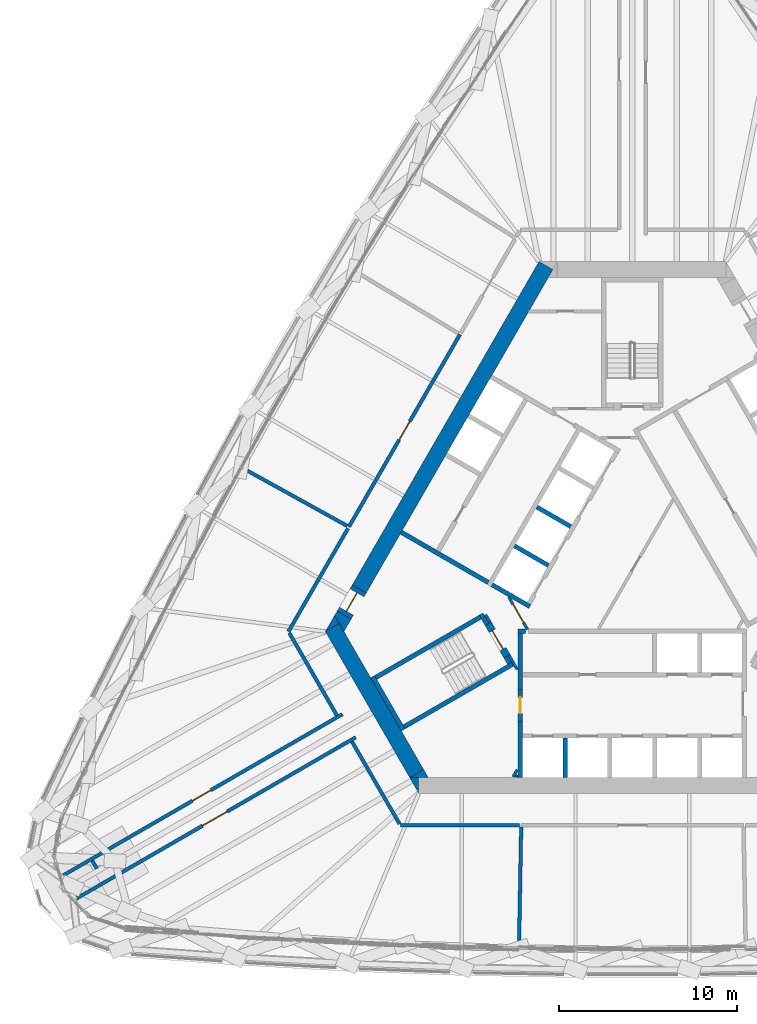
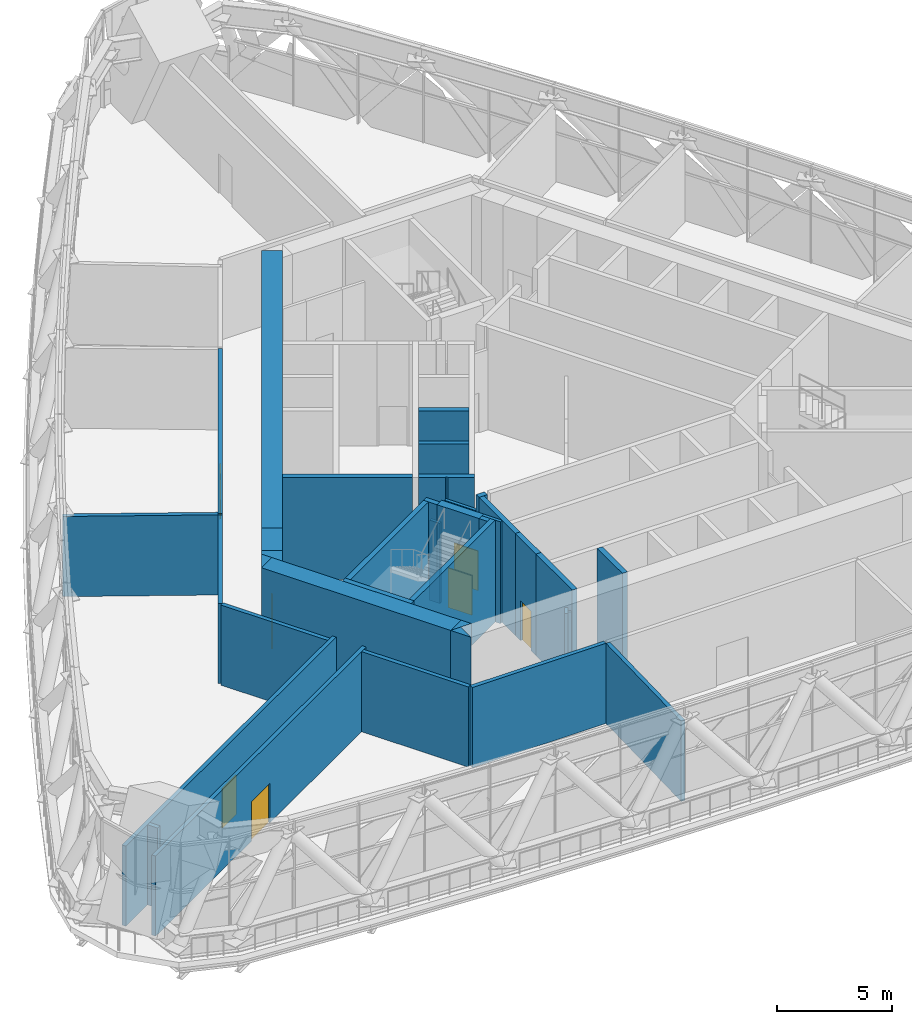
# One storey, part 26 of 43: 37 walls, 7 doors, 7 openings.
"""IFC4 building model written with IfcOpenShell, lengths in metres."""

from ifc_helpers import new_model, si_unit, direction, frame, frame_2d, origin, place, context, subcontext, project, spatial, polyline, rectangle, outline, extrude, material, layer, layer_set, type_object, element, fill, save


model = new_model("IFC4")

# Units and contexts
model_context = context("Model", 3, precision=1e-05, world=origin(), true_north=direction((0.0, 1.0)))
body_context = subcontext(model_context, "Body", "Model", "MODEL_VIEW")
ifc_project = project(units=[si_unit("LENGTHUNIT", "METRE"), si_unit("AREAUNIT", "SQUARE_METRE"), si_unit("VOLUMEUNIT", "CUBIC_METRE"), si_unit("PLANEANGLEUNIT", "RADIAN"), si_unit("MASSUNIT", "GRAM", prefix="KILO")], contexts=[model_context])

# Site, building, storey
site_placement = place(None, origin())
site = spatial("IfcSite", under=ifc_project, at=site_placement, CompositionType="ELEMENT")
building_placement = place(site_placement, origin())
building = spatial("IfcBuilding", under=site, at=building_placement, Name="Mestral Congress Tower", CompositionType="ELEMENT")
storey_placement = place(building_placement, frame((0.0, 0.0, 78.300048828125)))
storey = spatial("IfcBuildingStorey", under=building, at=storey_placement, Name="L18", CompositionType="ELEMENT", Elevation=78.300048828125)

# Walls
ifc_material_1 = material(Name="Fire-rated board partition")
ifc_layer_1 = layer(ifc_material_1, 0.14990234375)
ifc_layer_set_1 = layer_set([ifc_layer_1], Name="Fire-rated board partition")
wall_type_1 = type_object("IfcWallType", Name="Core partition 150", PredefinedType="PARTITIONING", material=ifc_layer_set_1)
wall_1_placement = place(storey_placement, frame((-6.707763671875, -12.068115234375, 0.0), z_axis=(0.0, 0.0, 1.0), x_axis=(0.500000789788, 0.8660249478, 0.0)))
element("IfcWall", 1, at=wall_1_placement, inside=storey, type_object=wall_type_1, Name="L18 core wall", PredefinedType="PARTITIONING", context=body_context, shape_type="SweptSolid", body=[
    extrude(rectangle(XDim=0.45556640625, YDim=0.14990234375, at=frame_2d((0.227783203125, 0.0))), origin(), (0.0, 0.0, 1.0), 4.25),
])
wall_2_placement = place(storey_placement, frame((-6.534423828125, -12.068115234375, 0.0), z_axis=(0.0, 0.0, 1.0), x_axis=(0.500240224089, 0.865886665912, 0.0)))
element("IfcWall", 2, at=wall_2_placement, inside=storey, type_object=wall_type_1, Name="L18 core wall", PredefinedType="PARTITIONING", context=body_context, shape_type="SweptSolid", body=[
    extrude(rectangle(XDim=0.10888671875, YDim=0.14990234375, at=frame_2d((0.054443359375, 0.0))), origin(), (0.0, 0.0, 1.0), 4.25),
])
wall_3_placement = place(storey_placement, frame((-8.251953125, -2.958251953125, 0.0), z_axis=(0.0, 0.0, 1.0), x_axis=(0.500174715838, -0.865924508047, 0.0)))
element("IfcWall", 3, at=wall_3_placement, inside=storey, type_object=wall_type_1, Name="L18 core wall", PredefinedType="PARTITIONING", context=body_context, shape_type="SweptSolid", body=[
    extrude(rectangle(XDim=0.513916015625, YDim=0.14990234375, at=frame_2d((0.2568359375, 0.0))), origin(), (0.0, 0.0, 1.0), 4.25),
])

# Wall, opening, door
wall_4_placement = place(storey_placement, frame((-5.89501953125, -3.789794921875, 0.0), z_axis=(0.0, 0.0, 1.0), x_axis=(-0.49994051562, 0.866059744384, 0.0)))
wall_4 = element("IfcWall", 4, at=wall_4_placement, inside=storey, type_object=wall_type_1, Name="L18 door wall", PredefinedType="PARTITIONING", context=body_context, shape_type="SweptSolid", body=[
    extrude(rectangle(XDim=2.099853515625, YDim=0.14990234375, at=frame_2d((1.0498046875, 0.0))), origin(), (0.0, 0.0, 1.0), 4.25),
])
opening_1_placement = place(wall_4_placement, frame((0.449951171875, 0.0, 0.0)))
opening_1 = element("IfcOpeningElement", 5, at=opening_1_placement, cuts=wall_4, Name="Opening CD3-FF", PredefinedType="OPENING", context=body_context, shape_type="SweptSolid", body=[
    extrude(rectangle(XDim=1.199951171875, YDim=2.10009765625, at=frame_2d((0.60009765625, 1.050048828125))), frame((0.0, 0.0849609375, 0.0), z_axis=(0.0, -1.0, 0.0), x_axis=(1.0, 0.0, 0.0)), (0.0, 0.0, 1.0), 0.169921875),
])
ifc_material_2 = material(Name="Fire-rated steel door set", Category="steel")
door_type_1 = type_object("IfcDoorType", Name="Core door CD 1200x2100", OperationType="SINGLE_SWING_LEFT", PredefinedType="DOOR", material=ifc_material_2)
door_1_placement = place(opening_1_placement, origin())
door_1 = element("IfcDoor", 6, at=door_1_placement, inside=storey, type_object=door_type_1, Name="Door CD3-FF", OperationType="SINGLE_SWING_LEFT", OverallHeight=2.10009765625, OverallWidth=1.199951171875, PredefinedType="DOOR", context=body_context, shape_type="SweptSolid", body=[
    extrude(rectangle(XDim=1.199951171875, YDim=2.10009765625, at=frame_2d((0.60009765625, 1.050048828125))), frame((0.0, 0.02490234375, 0.0), z_axis=(0.0, -1.0, 0.0), x_axis=(1.0, 0.0, 0.0)), (0.0, 0.0, 1.0), 0.050048828125),
])
fill(opening_1, door_1)

# Walls
ifc_material_3 = material(Name="Concrete C60/75", Category="concrete")
ifc_layer_2 = layer(ifc_material_3, 0.89990234375)
ifc_layer_set_2 = layer_set([ifc_layer_2], Name="Concrete C60/75")
wall_type_2 = type_object("IfcWallType", Name="Core wall RC 900", PredefinedType="SOLIDWALL", material=ifc_layer_set_2)
wall_5_placement = place(storey_placement, frame((-15.359619140625, -1.50341796875, 0.0), z_axis=(0.0, 0.0, 1.0), x_axis=(0.50000389221, 0.866023156604, 0.0)))
element("IfcWall", 7, at=wall_5_placement, inside=storey, type_object=wall_type_2, Name="L18 core wall", PredefinedType="SOLIDWALL", context=body_context, shape_type="SweptSolid", body=[
    extrude(rectangle(XDim=21.000244140625, YDim=0.89990234375, at=frame_2d((10.5, 0.0))), origin(), (0.0, 0.0, 1.0), 5.39990234375),
])
placement = place(storey_placement, origin())
element("IfcWall", 8, at=placement, inside=storey, type_object=wall_type_2, Name="L18 core wall", PredefinedType="SOLIDWALL", context=body_context, shape_type="SweptSolid", body=[
    extrude(outline(polyline([(-12.528564453125, -12.10009765625), (-12.0205078125, -12.10009765625), (-12.0205078125, -12.97998046875), (-12.528564453125, -12.10009765625)])), origin(), (0.0, 0.0, 1.0), 5.39990234375),
])
wall_7_placement = place(storey_placement, frame((-12.134033203125, -11.88330078125, 0.0), z_axis=(0.0, 0.0, 1.0), x_axis=(-0.500005339912, 0.866022320763, 0.0)))
element("IfcWall", 9, at=wall_7_placement, inside=storey, type_object=wall_type_2, Name="L18 core wall", PredefinedType="SOLIDWALL", context=body_context, shape_type="SweptSolid", body=[
    extrude(rectangle(XDim=9.48779296875, YDim=0.89990234375, at=frame_2d((4.743896484375, 0.0))), origin(), (0.0, 0.0, 1.0), 5.39990234375),
])
element("IfcWall", 10, at=placement, inside=storey, type_object=wall_type_2, Name="L18 core wall", PredefinedType="SOLIDWALL", context=body_context, shape_type="SweptSolid", body=[
    extrude(outline(polyline([(-16.4892578125, -3.43994140625), (-17.251220703125, -3.8798828125), (-16.7431640625, -3.0), (-16.4892578125, -3.43994140625)])), origin(), (0.0, 0.0, 1.0), 5.39990234375),
])
element("IfcWall", 11, at=placement, inside=storey, type_object=wall_type_2, Name="L18 core wall", PredefinedType="SOLIDWALL", context=body_context, shape_type="SweptSolid", body=[
    extrude(outline(polyline([(-11.4892578125, -12.10009765625), (-12.50537109375, -12.10009765625), (-11.743408203125, -11.66015625), (-11.4892578125, -12.10009765625)])), origin(), (0.0, 0.0, 1.0), 5.39990234375),
])
element("IfcWall", 12, at=placement, inside=storey, type_object=wall_type_2, Name="L18 core wall", PredefinedType="SOLIDWALL", context=body_context, shape_type="SweptSolid", body=[
    extrude(outline(polyline([(-15.81982421875, -3.20068359375), (-16.223388671875, -3.89990234375), (-16.7431640625, -3.0), (-16.599365234375, -2.750732421875), (-15.81982421875, -3.20068359375)])), origin(), (0.0, 0.0, 1.0), 5.39990234375),
])

# Wall, opening, door
wall_11_placement = place(storey_placement, frame((-16.20947265625, -2.9755859375, 0.0), z_axis=(0.0, 0.0, 1.0), x_axis=(0.499954529098, 0.86605165483, 0.0)))
wall_11 = element("IfcWall", 13, at=wall_11_placement, inside=storey, type_object=wall_type_2, Name="L18 door wall", PredefinedType="SOLIDWALL", context=body_context, shape_type="SweptSolid", body=[
    extrude(rectangle(XDim=1.699951171875, YDim=0.89990234375, at=frame_2d((0.85009765625, 0.0))), origin(), (0.0, 0.0, 1.0), 5.39990234375),
])
opening_2_placement = place(wall_11_placement, frame((0.25, 0.0, 0.0)))
opening_2 = element("IfcOpeningElement", 14, at=opening_2_placement, cuts=wall_11, Name="Opening XD3", PredefinedType="OPENING", context=body_context, shape_type="SweptSolid", body=[
    extrude(rectangle(XDim=1.199951171875, YDim=2.10009765625, at=frame_2d((0.60009765625, 1.050048828125))), frame((0.0, 0.4599609375, 0.0), z_axis=(0.0, -1.0, 0.0), x_axis=(1.0, 0.0, 0.0)), (0.0, 0.0, 1.0), 0.919921875),
])
door_type_2 = type_object("IfcDoorType", Name="Core door XD 1200x2100", OperationType="SINGLE_SWING_LEFT", PredefinedType="DOOR", material=ifc_material_2)
door_2_placement = place(opening_2_placement, origin())
door_2 = element("IfcDoor", 15, at=door_2_placement, inside=storey, type_object=door_type_2, Name="Door XD3", OperationType="SINGLE_SWING_LEFT", OverallHeight=2.10009765625, OverallWidth=1.199951171875, PredefinedType="DOOR", context=body_context, shape_type="SweptSolid", body=[
    extrude(rectangle(XDim=1.199951171875, YDim=2.10009765625, at=frame_2d((0.60009765625, 1.050048828125))), frame((0.0, 0.02490234375, 0.0), z_axis=(0.0, -1.0, 0.0), x_axis=(1.0, 0.0, 0.0)), (0.0, 0.0, 1.0), 0.050048828125),
])
fill(opening_2, door_2)

# Walls
ifc_layer_3 = layer(ifc_material_3, 0.25)
ifc_layer_set_3 = layer_set([ifc_layer_3], Name="Concrete C60/75")
wall_type_3 = type_object("IfcWallType", Name="Shaft wall RC 250", PredefinedType="SOLIDWALL", material=ifc_layer_set_3)
wall_12_placement = place(storey_placement, frame((-3.780029296875, -12.10009765625, 0.0), z_axis=(0.0, 0.0, 1.0), x_axis=(0.0, 1.0, 0.0)))
element("IfcWall", 16, at=wall_12_placement, inside=storey, type_object=wall_type_3, Name="L18 core wall", PredefinedType="SOLIDWALL", context=body_context, shape_type="SweptSolid", body=[
    extrude(rectangle(XDim=2.199951171875, YDim=0.25, at=frame_2d((1.10009765625, 0.0))), origin(), (0.0, 0.0, 1.0), 5.39990234375),
])
wall_13_placement = place(storey_placement, frame((-6.300048828125, -12.10009765625, 0.0), z_axis=(0.0, 0.0, 1.0), x_axis=(0.0, 1.0, 0.0)))
element("IfcWall", 17, at=wall_13_placement, inside=storey, type_object=wall_type_3, Name="L18 core wall", PredefinedType="SOLIDWALL", context=body_context, shape_type="SweptSolid", body=[
    extrude(rectangle(XDim=3.1455078125, YDim=0.25, at=frame_2d((1.57275390625, 0.0))), origin(), (0.0, 0.0, 1.0), 5.39990234375),
])
wall_14_placement = place(storey_placement, frame((-6.425048828125, -3.875, 0.0), z_axis=(0.0, 0.0, 1.0), x_axis=(1.0, 0.0, 0.0)))
element("IfcWall", 18, at=wall_14_placement, inside=storey, type_object=wall_type_3, Name="L18 core wall", PredefinedType="SOLIDWALL", context=body_context, shape_type="SweptSolid", body=[
    extrude(rectangle(XDim=0.427978515625, YDim=0.25, at=frame_2d((0.2138671875, 0.0))), origin(), (0.0, 0.0, 1.0), 5.39990234375),
])
wall_15_placement = place(storey_placement, frame((-6.300048828125, -4.0, 0.0), z_axis=(0.0, 0.0, 1.0), x_axis=(0.0, -1.0, 0.0)))
element("IfcWall", 19, at=wall_15_placement, inside=storey, type_object=wall_type_3, Name="L18 core wall", PredefinedType="SOLIDWALL", context=body_context, shape_type="SweptSolid", body=[
    extrude(rectangle(XDim=3.154296875, YDim=0.25, at=frame_2d((1.5771484375, 0.0))), origin(), (0.0, 0.0, 1.0), 5.39990234375),
])
for number, where, z_axis, x_axis, name in (
    (20, (-5.369384765625, 3.10009765625, 0.0), (0.0, 0.0, 1.0), (0.866008176907, -0.50002983664, 0.0), "L18 core wall"),
    (21, (-4.72412109375, -0.182373046875, 0.0), (0.0, 0.0, 1.0), (-0.866008176907, 0.50002983664, 0.0), "L18 core wall"),
):
    element("IfcWall", number, at=place(storey_placement, frame(where, z_axis=z_axis, x_axis=x_axis)), inside=storey, type_object=wall_type_3, Name=name, PredefinedType="SOLIDWALL", context=body_context, shape_type="SweptSolid", body=[
        extrude(rectangle(XDim=2.199951171875, YDim=0.25, at=frame_2d((1.10009765625, 0.0))), origin(), (0.0, 0.0, 1.0), 5.39990234375),
    ])
element("IfcWall", 22, at=placement, inside=storey, type_object=wall_type_3, Name="L18 core wall", PredefinedType="SOLIDWALL", context=body_context, shape_type="SweptSolid", body=[
    extrude(outline(polyline([(-5.921630859375, -2.256591796875), (-5.921630859375, -2.256591796875), (-5.705078125, -2.381591796875), (-5.830078125, -2.597900390625), (-6.829345703125, -2.02099609375), (-6.8798828125, -1.93359375), (-6.8798828125, -1.93359375), (-6.930419921875, -1.962646484375), (-7.951904296875, -1.373046875), (-7.826904296875, -1.156494140625), (-5.921630859375, -2.256591796875)])), origin(), (0.0, 0.0, 1.0), 5.39990234375),
])
wall_17_placement = place(storey_placement, frame((-8.10595703125, -1.139892578125, 0.0), z_axis=(0.0, 0.0, 1.0), x_axis=(-0.866000643155, 0.500042884217, 0.0)))
element("IfcWall", 23, at=wall_17_placement, inside=storey, type_object=wall_type_3, Name="L18 core wall", PredefinedType="SOLIDWALL", context=body_context, shape_type="SweptSolid", body=[
    extrude(rectangle(XDim=5.64990234375, YDim=0.25, at=frame_2d((2.824951171875, 0.0))), origin(), (0.0, 0.0, 1.0), 5.39990234375),
])

# Wall, opening, door
wall_18_placement = place(storey_placement, frame((-6.300048828125, -7.154296875, 0.0), z_axis=(0.0, 0.0, 1.0), x_axis=(0.0, -1.0, 0.0)))
wall_18 = element("IfcWall", 24, at=wall_18_placement, inside=storey, type_object=wall_type_3, Name="L18 door wall", PredefinedType="SOLIDWALL", context=body_context, shape_type="SweptSolid", body=[
    extrude(rectangle(XDim=1.800048828125, YDim=0.25, at=frame_2d((0.89990234375, 0.0))), origin(), (0.0, 0.0, 1.0), 5.39990234375),
])
opening_3_placement = place(wall_18_placement, frame((0.449951171875, 0.0, 0.0)))
opening_3 = element("IfcOpeningElement", 25, at=opening_3_placement, cuts=wall_18, Name="Opening TD3", PredefinedType="OPENING", context=body_context, shape_type="SweptSolid", body=[
    extrude(rectangle(XDim=0.89990234375, YDim=2.10009765625, at=frame_2d((0.449951171875, 1.050048828125))), frame((0.0, 0.135009765625, 0.0), z_axis=(0.0, -1.0, 0.0), x_axis=(1.0, 0.0, 0.0)), (0.0, 0.0, 1.0), 0.27001953125),
])
door_type_3 = type_object("IfcDoorType", Name="Core door SR 900x2100", OperationType="SINGLE_SWING_LEFT", PredefinedType="DOOR", material=ifc_material_2)
door_3_placement = place(opening_3_placement, origin())
door_3 = element("IfcDoor", 26, at=door_3_placement, inside=storey, type_object=door_type_3, Name="Door TD3", OperationType="SINGLE_SWING_LEFT", OverallHeight=2.10009765625, OverallWidth=0.89990234375, PredefinedType="DOOR", context=body_context, shape_type="SweptSolid", body=[
    extrude(rectangle(XDim=0.89990234375, YDim=2.10009765625, at=frame_2d((0.449951171875, 1.050048828125))), frame((0.0, 0.02490234375, 0.0), z_axis=(0.0, -1.0, 0.0), x_axis=(1.0, 0.0, 0.0)), (0.0, 0.0, 1.0), 0.050048828125),
])
fill(opening_3, door_3)

# Wall
ifc_layer_4 = layer(ifc_material_3, 0.14990234375)
ifc_layer_set_4 = layer_set([ifc_layer_4], Name="Concrete C60/75")
wall_type_4 = type_object("IfcWallType", Name="Shaft wall RC 250 door-wall 150", PredefinedType="SOLIDWALL", material=ifc_layer_set_4)
wall_19_placement = place(storey_placement, frame((-6.48046875, -6.026611328125, 0.0), z_axis=(0.0, 0.0, 1.0), x_axis=(-0.499927229454, 0.866067413802, 0.0)))
element("IfcWall", 27, at=wall_19_placement, inside=storey, type_object=wall_type_4, Name="L18 core wall", PredefinedType="PARTITIONING", context=body_context, shape_type="SweptSolid", body=[
    extrude(rectangle(XDim=0.928955078125, YDim=0.14990234375, at=frame_2d((0.46435546875, 0.0))), origin(), (0.0, 0.0, 1.0), 5.39990234375),
])

# Wall, opening, door
ifc_material_4 = material(Name="Concrete block wall, plastered", Category="concrete")
ifc_layer_5 = layer(ifc_material_4, 0.199951171875)
ifc_layer_set_5 = layer_set([ifc_layer_5], Name="Concrete block wall, plastered")
wall_type_5 = type_object("IfcWallType", Name="Special partition 200 EI 120", PredefinedType="PARTITIONING", material=ifc_layer_set_5)
wall_20_placement = place(storey_placement, frame((-31.39111328125, -18.98974609375, 0.0), z_axis=(0.0, 0.0, 1.0), x_axis=(0.866027012652, 0.49999721335, 0.0)))
wall_20 = element("IfcWall", 28, at=wall_20_placement, inside=storey, type_object=wall_type_5, Name="Partition", PredefinedType="PARTITIONING", context=body_context, shape_type="SweptSolid", body=[
    extrude(rectangle(XDim=18.2802734375, YDim=0.199951171875, at=frame_2d((9.14013671875, 0.0))), origin(), (0.0, 0.0, 1.0), 4.25),
])
opening_4_placement = place(wall_20_placement, frame((8.340087890625, 0.0, 0.0)))
opening_4 = element("IfcOpeningElement", 29, at=opening_4_placement, cuts=wall_20, Name="Opening S18-002", PredefinedType="OPENING", context=body_context, shape_type="SweptSolid", body=[
    extrude(rectangle(XDim=1.60009765625, YDim=2.10009765625, at=frame_2d((0.800048828125, 1.050048828125))), frame((0.0, 0.10986328125, 0.0), z_axis=(0.0, -1.0, 0.0), x_axis=(1.0, 0.0, 0.0)), (0.0, 0.0, 1.0), 0.219970703125),
])
door_type_4 = type_object("IfcDoorType", Name="Plant room double door 1600x2100", OperationType="DOUBLE_DOOR_SINGLE_SWING", PredefinedType="DOOR", material=ifc_material_2)
door_4_placement = place(opening_4_placement, origin())
door_4 = element("IfcDoor", 30, at=door_4_placement, inside=storey, type_object=door_type_4, Name="Door S18-002", OperationType="DOUBLE_DOOR_SINGLE_SWING", OverallHeight=2.10009765625, OverallWidth=1.60009765625, PredefinedType="DOOR", context=body_context, shape_type="SweptSolid", body=[
    extrude(rectangle(XDim=1.60009765625, YDim=2.10009765625, at=frame_2d((0.800048828125, 1.050048828125))), frame((0.0, 0.02490234375, 0.0), z_axis=(0.0, -1.0, 0.0), x_axis=(1.0, 0.0, 0.0)), (0.0, 0.0, 1.0), 0.050048828125),
])
fill(opening_4, door_4)

wall_21_placement = place(storey_placement, frame((-16.309814453125, -8.550537109375, 0.0), z_axis=(0.0, 0.0, 1.0), x_axis=(-0.866027012652, -0.49999721335, 0.0)))
wall_21 = element("IfcWall", 31, at=wall_21_placement, inside=storey, type_object=wall_type_5, Name="Partition", PredefinedType="PARTITIONING", context=body_context, shape_type="SweptSolid", body=[
    extrude(rectangle(XDim=18.2802734375, YDim=0.199951171875, at=frame_2d((9.14013671875, 0.0))), origin(), (0.0, 0.0, 1.0), 4.25),
])
opening_5_placement = place(wall_21_placement, frame((8.540283203125, 0.0, 0.0)))
opening_5 = element("IfcOpeningElement", 32, at=opening_5_placement, cuts=wall_21, Name="Opening S18-001", PredefinedType="OPENING", context=body_context, shape_type="SweptSolid", body=[
    extrude(rectangle(XDim=1.199951171875, YDim=2.10009765625, at=frame_2d((0.60009765625, 1.050048828125))), frame((0.0, 0.10986328125, 0.0), z_axis=(0.0, -1.0, 0.0), x_axis=(1.0, 0.0, 0.0)), (0.0, 0.0, 1.0), 0.219970703125),
])
door_type_5 = type_object("IfcDoorType", Name="Refuge door 1200x2100", OperationType="SINGLE_SWING_LEFT", PredefinedType="DOOR", material=ifc_material_2)
door_5_placement = place(opening_5_placement, origin())
door_5 = element("IfcDoor", 33, at=door_5_placement, inside=storey, type_object=door_type_5, Name="Door S18-001", OperationType="SINGLE_SWING_RIGHT", OverallHeight=2.10009765625, OverallWidth=1.199951171875, PredefinedType="DOOR", context=body_context, shape_type="SweptSolid", body=[
    extrude(rectangle(XDim=1.199951171875, YDim=2.10009765625, at=frame_2d((0.60009765625, 1.050048828125))), frame((0.0, 0.02490234375, 0.0), z_axis=(0.0, -1.0, 0.0), x_axis=(1.0, 0.0, 0.0)), (0.0, 0.0, 1.0), 0.050048828125),
])
fill(opening_5, door_5)

wall_22_placement = place(storey_placement, frame((-9.69189453125, 12.813232421875, 0.0), z_axis=(0.0, 0.0, 1.0), x_axis=(-0.499991245628, -0.866030458065, 0.0)))
wall_22 = element("IfcWall", 34, at=wall_22_placement, inside=storey, type_object=wall_type_5, Name="Partition", PredefinedType="PARTITIONING", context=body_context, shape_type="SweptSolid", body=[
    extrude(rectangle(XDim=12.501220703125, YDim=0.199951171875, at=frame_2d((6.25048828125, 0.0))), origin(), (0.0, 0.0, 1.0), 4.25),
])
opening_6_placement = place(wall_22_placement, frame((5.650634765625, 0.0, 0.0)))
opening_6 = element("IfcOpeningElement", 35, at=opening_6_placement, cuts=wall_22, Name="Opening S18-012", PredefinedType="OPENING", context=body_context, shape_type="SweptSolid", body=[
    extrude(rectangle(XDim=1.199951171875, YDim=2.10009765625, at=frame_2d((0.60009765625, 1.050048828125))), frame((0.0, 0.10986328125, 0.0), z_axis=(0.0, -1.0, 0.0), x_axis=(1.0, 0.0, 0.0)), (0.0, 0.0, 1.0), 0.219970703125),
])
door_type_6 = type_object("IfcDoorType", Name="Plant room door 1200x2100", OperationType="SINGLE_SWING_LEFT", PredefinedType="DOOR", material=ifc_material_2)
door_6_placement = place(opening_6_placement, origin())
door_6 = element("IfcDoor", 36, at=door_6_placement, inside=storey, type_object=door_type_6, Name="Door S18-012", OperationType="SINGLE_SWING_RIGHT", OverallHeight=2.10009765625, OverallWidth=1.199951171875, PredefinedType="DOOR", context=body_context, shape_type="SweptSolid", body=[
    extrude(rectangle(XDim=1.199951171875, YDim=2.10009765625, at=frame_2d((0.60009765625, 1.050048828125))), frame((0.0, 0.02490234375, 0.0), z_axis=(0.0, -1.0, 0.0), x_axis=(1.0, 0.0, 0.0)), (0.0, 0.0, 1.0), 0.050048828125),
])
fill(opening_6, door_6)

# Walls
wall_23_placement = place(storey_placement, frame((-6.252197265625, -14.89990234375, 0.0), z_axis=(0.0, 0.0, 1.0), x_axis=(-0.018503301714, -0.999828799258, 0.0)))
element("IfcWall", 37, at=wall_23_placement, inside=storey, type_object=wall_type_5, Name="Partition", PredefinedType="PARTITIONING", context=body_context, shape_type="SweptSolid", body=[
    extrude(rectangle(XDim=6.755615234375, YDim=0.199951171875, at=frame_2d((3.3779296875, 0.0))), origin(), (0.0, 0.0, 1.0), 4.25),
])
wall_24_placement = place(storey_placement, frame((-21.941650390625, 5.30419921875, 0.0), z_axis=(0.0, 0.0, 1.0), x_axis=(0.875134013618, -0.483880623924, 0.0)))
element("IfcWall", 38, at=wall_24_placement, inside=storey, type_object=wall_type_5, Name="Partition", PredefinedType="PARTITIONING", context=body_context, shape_type="SweptSolid", body=[
    extrude(rectangle(XDim=6.75537109375, YDim=0.199951171875, at=frame_2d((3.377685546875, 0.0))), origin(), (0.0, 0.0, 1.0), 4.25),
])
wall_25_placement = place(storey_placement, frame((-6.35009765625, -14.800048828125, 0.0), z_axis=(0.0, 0.0, 1.0), x_axis=(-1.0, 0.0, 0.0)))
element("IfcWall", 39, at=wall_25_placement, inside=storey, type_object=wall_type_5, Name="Partition", PredefinedType="PARTITIONING", context=body_context, shape_type="SweptSolid", body=[
    extrude(rectangle(XDim=6.697998046875, YDim=0.199951171875, at=frame_2d((3.34912109375, 0.0))), origin(), (0.0, 0.0, 1.0), 4.25),
])
wall_26_placement = place(storey_placement, frame((-19.34130859375, -3.89990234375, 0.0), z_axis=(0.0, 0.0, 1.0), x_axis=(0.500035875758, 0.866004689915, 0.0)))
element("IfcWall", 40, at=wall_26_placement, inside=storey, type_object=wall_type_5, Name="Partition", PredefinedType="PARTITIONING", context=body_context, shape_type="SweptSolid", body=[
    extrude(rectangle(XDim=6.69775390625, YDim=0.199951171875, at=frame_2d((3.348876953125, 0.0))), origin(), (0.0, 0.0, 1.0), 4.25),
])
for number, where, z_axis, x_axis, name in (
    (41, (-16.61962890625, -8.614013671875, 0.0), (0.0, 0.0, 1.0), (-0.499969845129, 0.866042813007, 0.0), "Partition"),
    (42, (-13.093017578125, -14.72216796875, 0.0), (0.0, 0.0, 1.0), (-0.500023797175, 0.866011664043, 0.0), "Partition"),
):
    element("IfcWall", number, at=place(storey_placement, frame(where, z_axis=z_axis, x_axis=x_axis)), inside=storey, type_object=wall_type_5, Name=name, PredefinedType="PARTITIONING", context=body_context, shape_type="SweptSolid", body=[
        extrude(rectangle(XDim=5.353271484375, YDim=0.199951171875, at=frame_2d((2.6767578125, 0.0))), origin(), (0.0, 0.0, 1.0), 4.25),
    ])
wall_27_placement = place(storey_placement, frame((-30.117919921875, -17.23193359375, 0.0), z_axis=(0.0, 0.0, 1.0), x_axis=(-0.500325048718, 0.865837655467, 0.0)))
element("IfcWall", 43, at=wall_27_placement, inside=storey, type_object=wall_type_5, Name="Partition", PredefinedType="PARTITIONING", context=body_context, shape_type="SweptSolid", body=[
    extrude(rectangle(XDim=0.514404296875, YDim=0.199951171875, at=frame_2d((0.25732421875, 0.0))), origin(), (0.0, 0.0, 1.0), 4.25),
])
ifc_layer_6 = layer(ifc_material_3, 0.25)
ifc_layer_set_6 = layer_set([ifc_layer_6], Name="Concrete C60/75")
wall_type_6 = type_object("IfcWallType", Name="Stair wall RC 250", PredefinedType="SOLIDWALL", material=ifc_layer_set_6)
wall_28_placement = place(storey_placement, frame((-12.885498046875, -9.431396484375, 0.0), z_axis=(0.0, 0.0, 1.0), x_axis=(-0.500020560727, 0.866013532718, 0.0)))
element("IfcWall", 44, at=wall_28_placement, inside=storey, type_object=wall_type_6, Name="L18 core wall", PredefinedType="SOLIDWALL", context=body_context, shape_type="SweptSolid", body=[
    extrude(rectangle(XDim=3.449951171875, YDim=0.25, at=frame_2d((1.72509765625, 0.0))), origin(), (0.0, 0.0, 1.0), 5.39990234375),
])
wall_29_placement = place(storey_placement, frame((-14.43994140625, -6.489501953125, 0.0), z_axis=(0.0, 0.0, 1.0), x_axis=(0.866022966069, 0.500004222222, 0.0)))
element("IfcWall", 45, at=wall_29_placement, inside=storey, type_object=wall_type_6, Name="L18 core wall", PredefinedType="SOLIDWALL", context=body_context, shape_type="SweptSolid", body=[
    extrude(rectangle(XDim=6.80029296875, YDim=0.25, at=frame_2d((3.400146484375, 0.0))), origin(), (0.0, 0.0, 1.0), 5.39990234375),
])
wall_30_placement = place(storey_placement, frame((-8.167724609375, -3.503173828125, 0.0), z_axis=(0.0, 0.0, 1.0), x_axis=(-0.499952099219, 0.866053057547, 0.0)))
element("IfcWall", 46, at=wall_30_placement, inside=storey, type_object=wall_type_6, Name="L18 core wall", PredefinedType="SOLIDWALL", context=body_context, shape_type="SweptSolid", body=[
    extrude(rectangle(XDim=0.6748046875, YDim=0.25, at=frame_2d((0.33740234375, 0.0))), origin(), (0.0, 0.0, 1.0), 5.39990234375),
])
wall_31_placement = place(storey_placement, frame((-12.83984375, -9.2607421875, 0.0), z_axis=(0.0, 0.0, 1.0), x_axis=(0.866016039709, 0.500016218704, 0.0)))
element("IfcWall", 47, at=wall_31_placement, inside=storey, type_object=wall_type_6, Name="L18 core wall", PredefinedType="SOLIDWALL", context=body_context, shape_type="SweptSolid", body=[
    extrude(rectangle(XDim=7.050048828125, YDim=0.25, at=frame_2d((3.52490234375, 0.0))), origin(), (0.0, 0.0, 1.0), 5.39990234375),
])
wall_32_placement = place(storey_placement, frame((-6.905029296875, -5.68994140625, 0.0), z_axis=(0.0, 0.0, 1.0), x_axis=(-0.500402024738, 0.865793170242, 0.0)))
element("IfcWall", 48, at=wall_32_placement, inside=storey, type_object=wall_type_6, Name="L18 core wall", PredefinedType="SOLIDWALL", context=body_context, shape_type="SweptSolid", body=[
    extrude(rectangle(XDim=0.425048828125, YDim=0.25, at=frame_2d((0.21240234375, 0.0))), origin(), (0.0, 0.0, 1.0), 5.39990234375),
])

# Wall, opening, door
ifc_layer_7 = layer(ifc_material_3, 0.39990234375)
ifc_layer_set_7 = layer_set([ifc_layer_7], Name="Concrete C60/75")
wall_type_7 = type_object("IfcWallType", Name="Stair wall RC 250 door-wall 400", PredefinedType="SOLIDWALL", material=ifc_layer_set_7)
wall_33_placement = place(storey_placement, frame((-8.102783203125, -3.4658203125, 0.0), z_axis=(0.0, 0.0, 1.0), x_axis=(0.500078061341, -0.865980330357, 0.0)))
wall_33 = element("IfcWall", 49, at=wall_33_placement, inside=storey, type_object=wall_type_7, Name="L18 door wall", PredefinedType="SOLIDWALL", context=body_context, shape_type="SweptSolid", body=[
    extrude(rectangle(XDim=2.099853515625, YDim=0.39990234375, at=frame_2d((1.0498046875, 0.0))), origin(), (0.0, 0.0, 1.0), 5.39990234375),
])
opening_7_placement = place(wall_33_placement, frame((0.449951171875, 0.0, 0.0)))
opening_7 = element("IfcOpeningElement", 50, at=opening_7_placement, cuts=wall_33, Name="Opening ST-D3", PredefinedType="OPENING", context=body_context, shape_type="SweptSolid", body=[
    extrude(rectangle(XDim=1.199951171875, YDim=2.10009765625, at=frame_2d((0.60009765625, 1.050048828125))), frame((0.0, 0.2099609375, 0.0), z_axis=(0.0, -1.0, 0.0), x_axis=(1.0, 0.0, 0.0)), (0.0, 0.0, 1.0), 0.419921875),
])
door_type_7 = type_object("IfcDoorType", Name="Core door ST 1200x2100", OperationType="SINGLE_SWING_LEFT", PredefinedType="DOOR", material=ifc_material_2)
door_7_placement = place(opening_7_placement, origin())
door_7 = element("IfcDoor", 51, at=door_7_placement, inside=storey, type_object=door_type_7, Name="Door ST-D3", OperationType="SINGLE_SWING_LEFT", OverallHeight=2.10009765625, OverallWidth=1.199951171875, PredefinedType="DOOR", context=body_context, shape_type="SweptSolid", body=[
    extrude(rectangle(XDim=1.199951171875, YDim=2.10009765625, at=frame_2d((0.60009765625, 1.050048828125))), frame((0.0, 0.02490234375, 0.0), z_axis=(0.0, -1.0, 0.0), x_axis=(1.0, 0.0, 0.0)), (0.0, 0.0, 1.0), 0.050048828125),
])
fill(opening_7, door_7)

save(model, "model.ifc")
